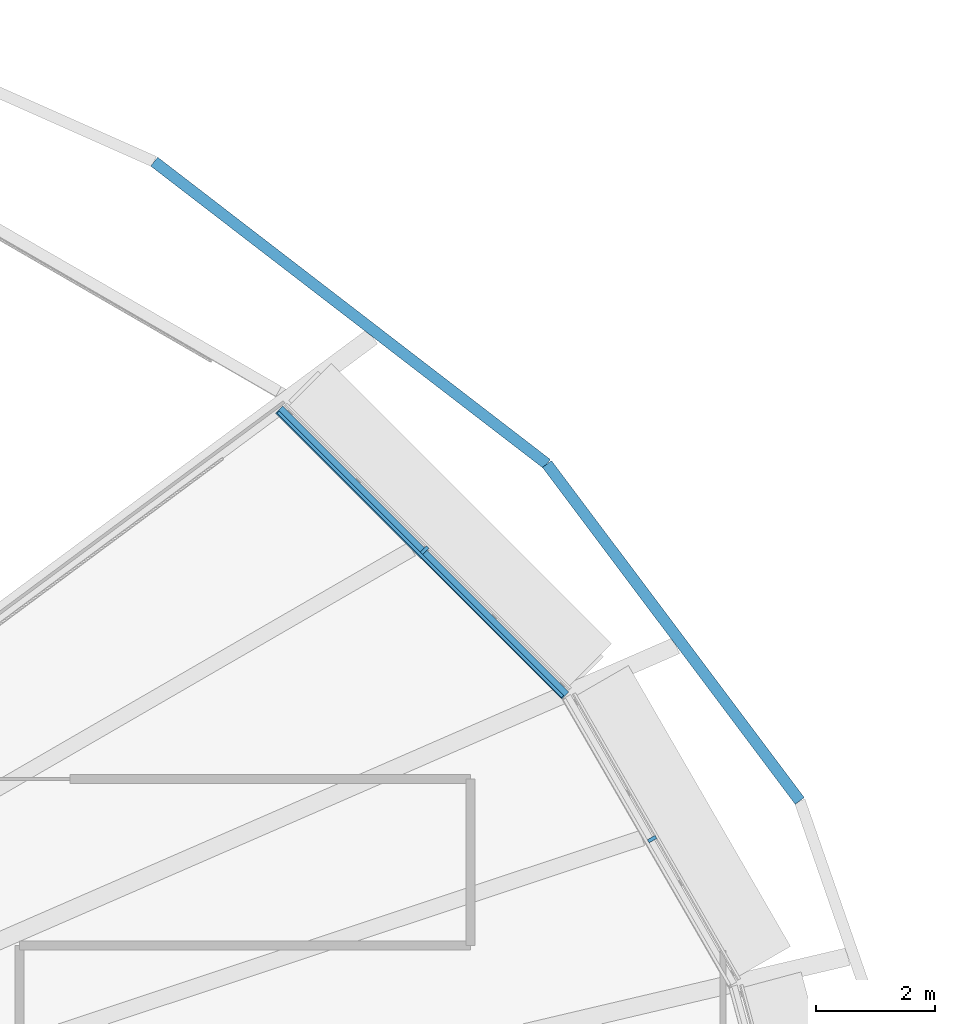
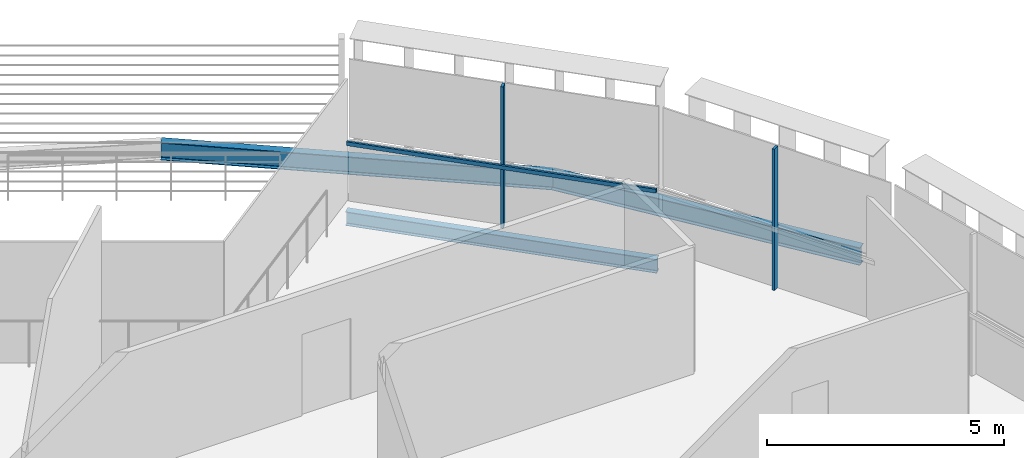
# One storey, part 9 of 24: 3 beams, 3 members, 2 elements without a shape of their own.
"""IFC4 building model written with IfcOpenShell, lengths in metres."""

import ifcopenshell
import ifcopenshell.guid

model = None  # the IFC model being written
_history = None  # IfcOwnerHistory: only IFC2X3 demands one
_inside = {}  # id of a spatial element -> (the spatial element, [elements in it])
_under = {}  # id of a project, library or spatial element -> (it, [spatial elements below it])
_declared = {}  # id of a project -> (the project, [libraries it declares])
_typed = {}  # id of a type object -> (the type object, [elements of that type])
_made_of = {}  # id of a material, layer set ... -> (it, [elements and type objects made of it])


def new_model(schema):
    """Start an empty IFC model of exactly this schema.

    Asked for "IFC4X3", IfcOpenShell would pick the latest addendum, in which some entities
    have other attributes; the version numbers below select the first issue.
    IFC2X3 requires an IfcOwnerHistory on every rooted entity: one is made here for all.
    """
    global model, _history
    if schema == "IFC4X3":
        model = ifcopenshell.file(schema_version=(4, 3, 0, 0))
    else:
        model = ifcopenshell.file(schema=schema)
    _inside.clear()
    _under.clear()
    _declared.clear()
    _typed.clear()
    _made_of.clear()
    _history = None
    if model.schema == "IFC2X3":
        org = make("IfcOrganization", Name="unknown")
        user = make(
            "IfcPersonAndOrganization",
            ThePerson=make("IfcPerson", FamilyName="unknown"),
            TheOrganization=org,
        )
        app = make(
            "IfcApplication",
            ApplicationDeveloper=org,
            Version="unknown",
            ApplicationFullName="unknown",
            ApplicationIdentifier="unknown",
        )
        _history = make(
            "IfcOwnerHistory",
            OwningUser=user,
            OwningApplication=app,
            ChangeAction="ADDED",
            CreationDate=0,
        )
    return model


def make(cls, **values):
    """One entity of the class cls with the attributes given. An attribute that is None is left unset."""
    return model.create_entity(
        cls, **{name: value for name, value in values.items() if value is not None}
    )


def rooted(cls, **values):
    """An entity with a GlobalId (a new one), such as an element, a storey or a relation."""
    return make(cls, GlobalId=ifcopenshell.guid.new(), OwnerHistory=_history, **values)


def si_unit(unit_type, name, prefix=None):
    """IfcSIUnit, for example si_unit("LENGTHUNIT", "METRE", prefix="MILLI")."""
    return make("IfcSIUnit", UnitType=unit_type, Prefix=prefix, Name=name)


def assignment(units):
    """IfcUnitAssignment: the units of a project."""
    return None if units is None else make("IfcUnitAssignment", Units=units)


def point(xyz):
    """IfcCartesianPoint."""
    return None if xyz is None else make("IfcCartesianPoint", Coordinates=xyz)


def direction(xyz):
    """IfcDirection."""
    return None if xyz is None else make("IfcDirection", DirectionRatios=xyz)


def frame(location, z_axis=None, x_axis=None):
    """IfcAxis2Placement3D, a coordinate frame: its origin and axes. An axis left out is left unset."""
    return make(
        "IfcAxis2Placement3D",
        Location=point(location),
        Axis=direction(z_axis),
        RefDirection=direction(x_axis),
    )


def frame_2d(location, x_axis=None):
    """IfcAxis2Placement2D, a coordinate frame in the plane: its origin and x axis."""
    return make(
        "IfcAxis2Placement2D", Location=point(location), RefDirection=direction(x_axis)
    )


def origin():
    """The frame at (0, 0, 0) with its axes left unset."""
    return frame((0.0, 0.0, 0.0))


def origin_2d():
    """The frame at (0, 0) in the plane with its x axis left unset."""
    return frame_2d((0.0, 0.0))


def place(relative_to, where):
    """IfcLocalPlacement: puts the frame where relative to a parent placement (None: the world)."""
    return make(
        "IfcLocalPlacement", PlacementRelTo=relative_to, RelativePlacement=where
    )


def context(
    kind, dimensions, precision=None, world=None, true_north=None, identifier=None
):
    """IfcGeometricRepresentationContext, for example the 3D "Model" context."""
    return make(
        "IfcGeometricRepresentationContext",
        ContextIdentifier=identifier,
        ContextType=kind,
        CoordinateSpaceDimension=dimensions,
        Precision=precision,
        WorldCoordinateSystem=world,
        TrueNorth=true_north,
    )


def subcontext(parent, identifier, kind, view, scale=None):
    """IfcGeometricRepresentationSubContext, for example "Body" below "Model"."""
    return make(
        "IfcGeometricRepresentationSubContext",
        ContextIdentifier=identifier,
        ContextType=kind,
        ParentContext=parent,
        TargetScale=scale,
        TargetView=view,
    )


def project(units=None, contexts=None):
    """IfcProject with its units and contexts."""
    return rooted(
        "IfcProject",
        Name="project",
        RepresentationContexts=contexts,
        UnitsInContext=assignment(units),
    )


def spatial(cls, under=None, at=None, **own):
    """A site, building, storey or space (cls), placed at a placement, below another one or the project."""
    s = rooted(cls, ObjectPlacement=at, **own)
    if under is not None:
        _under.setdefault(under.id(), (under, []))[1].append(s)
    return s


def profile(cls, at=None, kind="AREA", **sizes):
    """A parametric profile (cls). Its sizes go by their IFC names, for example OverallWidth=200.0."""
    return make(cls, ProfileType=kind, Position=at, **sizes)


def rectangle(**sizes):
    """IfcRectangleProfileDef."""
    return profile("IfcRectangleProfileDef", **sizes)


def i_section(**sizes):
    """IfcIShapeProfileDef."""
    return profile("IfcIShapeProfileDef", **sizes)


def extrude(swept, where, along, depth):
    """IfcExtrudedAreaSolid: the profile swept, set in the frame where, extruded along a direction by depth."""
    return make(
        "IfcExtrudedAreaSolid",
        SweptArea=swept,
        Position=where,
        ExtrudedDirection=direction(along),
        Depth=depth,
    )


def shape(context_of_items, identifier, shape_type, items):
    """IfcShapeRepresentation: the items that make up one representation, for example the "Body"."""
    return make(
        "IfcShapeRepresentation",
        ContextOfItems=context_of_items,
        RepresentationIdentifier=identifier,
        RepresentationType=shape_type,
        Items=items,
    )


def material(Name=None, Category=None):
    """IfcMaterial."""
    return make("IfcMaterial", Name=Name, Category=Category)


def layer(
    of_material, thickness, ventilated=None, Name=None, Category=None, Priority=None
):
    """IfcMaterialLayer: one layer of a wall or slab, of a material (None: an air gap)."""
    return make(
        "IfcMaterialLayer",
        Material=of_material,
        LayerThickness=thickness,
        IsVentilated=ventilated,
        Name=Name,
        Category=Category,
        Priority=Priority,
    )


def layer_set(layers, Name=None):
    """IfcMaterialLayerSet."""
    return make("IfcMaterialLayerSet", MaterialLayers=layers, LayerSetName=Name)


def material_profile(
    of_material, cross_section, Name=None, Category=None, Priority=None
):
    """IfcMaterialProfile: a cross section and its material."""
    return make(
        "IfcMaterialProfile",
        Name=Name,
        Material=of_material,
        Profile=cross_section,
        Priority=Priority,
        Category=Category,
    )


def profile_set(profiles, Name=None, composite=None):
    """IfcMaterialProfileSet."""
    return make(
        "IfcMaterialProfileSet",
        Name=Name,
        MaterialProfiles=profiles,
        CompositeProfile=composite,
    )


def made_of(thing, what):
    """Note that an element or type object is made of a material, layer set ...; save() writes the relation."""
    if what is not None:
        _made_of.setdefault(what.id(), (what, []))[1].append(thing)
    return thing


def type_object(cls, material=None, **own):
    """A type object (cls), such as IfcWallType, which elements share."""
    return made_of(rooted(cls, **own), material)


def element(
    cls,
    number,
    at=None,
    inside=None,
    cuts=None,
    type_object=None,
    material=None,
    context=None,
    identifier="Body",
    shape_type=None,
    held_by="IfcProductDefinitionShape",
    body=None,
    shapes=None,
    **own,
):
    """One element of the class cls, such as IfcWall. Its Tag is "e" and its number.

    at: its placement. inside: the storey or other place that contains it. cuts: it is an
    opening in that element (IfcRelVoidsElement). A single representation is given by context,
    identifier, shape_type and body (its items); several are given by shapes. held_by: the class
    of the entity that holds the representations. save() writes the other relations.
    """
    e = rooted(cls, Tag="e%d" % number, ObjectPlacement=at, **own)
    if body is not None:
        shapes = [shape(context, identifier, shape_type, body)]
    if shapes is not None:
        e.Representation = make(held_by, Representations=shapes)
    if inside is not None:
        _inside.setdefault(inside.id(), (inside, []))[1].append(e)
    if cuts is not None:
        rooted(
            "IfcRelVoidsElement", RelatingBuildingElement=cuts, RelatedOpeningElement=e
        )
    if type_object is not None:
        _typed.setdefault(type_object.id(), (type_object, []))[1].append(e)
    return made_of(e, material)


def aggregate(whole, parts):
    """IfcRelAggregates: a whole, such as a stair, and the parts it consists of."""
    return rooted("IfcRelAggregates", RelatingObject=whole, RelatedObjects=parts)


def save(model, path):
    """Write the relations noted so far, then the file.

    IfcRelAggregates (storeys below a building ...), IfcRelContainedInSpatialStructure (elements
    in a storey), IfcRelDefinesByType, IfcRelAssociatesMaterial and IfcRelDeclares: one each for
    every whole, place, type object, material and project.
    """
    for whole, parts in _under.values():
        aggregate(whole, parts)
    for where, things in _inside.values():
        rooted(
            "IfcRelContainedInSpatialStructure",
            RelatedElements=things,
            RelatingStructure=where,
        )
    for kind, things in _typed.values():
        rooted("IfcRelDefinesByType", RelatedObjects=things, RelatingType=kind)
    for what, things in _made_of.values():
        rooted("IfcRelAssociatesMaterial", RelatedObjects=things, RelatingMaterial=what)
    for by, libraries in _declared.values():
        rooted("IfcRelDeclares", RelatingContext=by, RelatedDefinitions=libraries)
    model.write(path)


model = new_model("IFC4")

# Units and contexts
model_context = context("Model", 3, precision=1e-05, world=origin(), true_north=direction((0.0, 1.0)))
body_context = subcontext(model_context, "Body", "Model", "MODEL_VIEW")
ifc_project = project(units=[si_unit("LENGTHUNIT", "METRE"), si_unit("AREAUNIT", "SQUARE_METRE"), si_unit("VOLUMEUNIT", "CUBIC_METRE"), si_unit("PLANEANGLEUNIT", "RADIAN"), si_unit("MASSUNIT", "GRAM", prefix="KILO")], contexts=[model_context])

# Site, building, storey
site_placement = place(None, origin())
site = spatial("IfcSite", under=ifc_project, at=site_placement, CompositionType="ELEMENT")
building_placement = place(site_placement, origin())
building = spatial("IfcBuilding", under=site, at=building_placement, Name="Sahrelin Media Tower", CompositionType="ELEMENT")
storey_placement = place(building_placement, frame((0.0, 0.0, 123.0)))
storey = spatial("IfcBuildingStorey", under=building, at=storey_placement, Name="L24", CompositionType="ELEMENT", Elevation=123.0)

# Beam
ifc_material_1 = material(Name="Steel S355", Category="steel")
ifc_material_profile_1 = material_profile(ifc_material_1, i_section(OverallWidth=0.17138671875, OverallDepth=0.35498046875, WebThickness=0.00732421875, FlangeThickness=0.011474609375, FilletRadius=0.01025390625, at=origin_2d()), Name="UB 356x171x51")
ifc_profile_set_1 = profile_set([ifc_material_profile_1], Name="Steel S355")
beam_type_1 = type_object("IfcBeamType", Name="Edge beam EB3", PredefinedType="BEAM", material=ifc_profile_set_1)
beam_1_placement = place(storey_placement, frame((22.77734375, 16.82373046875, -0.327392578125), z_axis=(0.70712470554, -0.707088856379, 0.0), x_axis=(0.707088856379, 0.70712470554, 0.0)))
element("IfcBeam", 1, at=beam_1_placement, inside=storey, type_object=beam_type_1, Name="Edge beam L24-18", PredefinedType="BEAM", context=body_context, shape_type="SweptSolid", body=[
    extrude(i_section(OverallWidth=0.17138671875, OverallDepth=0.35498046875, WebThickness=0.00732421875, FlangeThickness=0.011474609375, FilletRadius=0.01025390625, at=origin_2d()), origin(), (0.0, 0.0, 1.0), 6.810302734375),
])

# Curtain wall, member
ifc_material_2 = material(Name="Champagne anodised aluminium 6063-T6", Category="aluminium")
ifc_layer = layer(ifc_material_2, 0.14990234375)
ifc_layer_set = layer_set([ifc_layer], Name="Tower ribbon curtain wall")
curtain_wall_type = type_object("IfcCurtainWallType", Name="Tower ribbon curtain wall", PredefinedType="NOTDEFINED", material=ifc_layer_set)
curtain_wall_1_placement = place(storey_placement, frame((29.138916015625, 9.63818359375, 0.0), z_axis=(0.0, 0.0, 1.0), x_axis=(1.0, 0.0, 0.0)))
curtain_wall_1 = element("IfcCurtainWall", 2, at=curtain_wall_1_placement, inside=storey, type_object=curtain_wall_type, Name="L24:CW:L24-02", PredefinedType="NOTDEFINED")
ifc_material_profile_2 = material_profile(ifc_material_2, rectangle(XDim=0.06005859375, YDim=0.14990234375, at=origin_2d()), Name="Mullion 60x150")
ifc_profile_set_2 = profile_set([ifc_material_profile_2], Name="Champagne anodised aluminium 6063-T6")
member_type_1 = type_object("IfcMemberType", Name="Mullion 60x150 CW1", PredefinedType="MULLION", material=ifc_profile_set_2)
member_1_placement = place(storey_placement, frame((29.056396484375, 9.590576171875, 0.0), z_axis=(0.0, 0.0, 1.0), x_axis=(-0.4999984885, 0.866026276448, 0.0)))
member_1 = element("IfcMember", 3, at=member_1_placement, type_object=member_type_1, Name="L24:CWM:L24-02", PredefinedType="MULLION", context=body_context, shape_type="SweptSolid", body=[
    extrude(rectangle(XDim=0.06005859375, YDim=0.14990234375, at=origin_2d()), origin(), (0.0, 0.0, 1.0), 3.648681640625),
])
aggregate(curtain_wall_1, [member_1])

curtain_wall_2_placement = place(storey_placement, frame((25.291259765625, 14.52197265625, 0.0), z_axis=(0.0, 0.0, 1.0), x_axis=(1.0, 0.0, 0.0)))
curtain_wall_2 = element("IfcCurtainWall", 4, at=curtain_wall_2_placement, inside=storey, type_object=curtain_wall_type, Name="L24:CW:L24-03", PredefinedType="NOTDEFINED")
member_2_placement = place(storey_placement, frame((25.22412109375, 14.454833984375, 0.0), z_axis=(0.0, 0.0, 1.0), x_axis=(-0.707106781187, 0.707106781187, 0.0)))
member_2 = element("IfcMember", 5, at=member_2_placement, type_object=member_type_1, Name="L24:CWM:L24-03", PredefinedType="MULLION", context=body_context, shape_type="SweptSolid", body=[
    extrude(rectangle(XDim=0.06005859375, YDim=0.14990234375, at=origin_2d()), origin(), (0.0, 0.0, 1.0), 3.648681640625),
])

# Beams
ifc_material_profile_3 = material_profile(ifc_material_1, i_section(OverallWidth=0.1904296875, OverallDepth=0.45703125, WebThickness=0.009033203125, FlangeThickness=0.014404296875, FilletRadius=0.01025390625, at=origin_2d()), Name="UB 457x191x74")
ifc_profile_set_3 = profile_set([ifc_material_profile_3], Name="Steel S355")
beam_type_2 = type_object("IfcBeamType", Name="Tie chord TC5", PredefinedType="BEAM", material=ifc_profile_set_3)
beam_2_placement = place(storey_placement, frame((31.542236328125, 10.2333984375, -0.37841796875), z_axis=(-0.600055058973, 0.79995870281, 0.0), x_axis=(-0.79995870281, -0.600055058973, 0.0)))
element("IfcBeam", 6, at=beam_2_placement, inside=storey, type_object=beam_type_2, Name="Tie chord L24-02", PredefinedType="BEAM", context=body_context, shape_type="SweptSolid", body=[
    extrude(i_section(OverallWidth=0.1904296875, OverallDepth=0.45703125, WebThickness=0.009033203125, FlangeThickness=0.014404296875, FilletRadius=0.01025390625, at=origin_2d()), origin(), (0.0, 0.0, 1.0), 7.094482421875),
])
beam_3_placement = place(storey_placement, frame((27.28515625, 15.90869140625, -0.37841796875), z_axis=(-0.792439163216, 0.609950959178, 0.0), x_axis=(-0.609950959178, -0.792439163216, 0.0)))
element("IfcBeam", 7, at=beam_3_placement, inside=storey, type_object=beam_type_2, Name="Tie chord L24-03", PredefinedType="BEAM", context=body_context, shape_type="SweptSolid", body=[
    extrude(i_section(OverallWidth=0.1904296875, OverallDepth=0.45703125, WebThickness=0.009033203125, FlangeThickness=0.014404296875, FilletRadius=0.01025390625, at=origin_2d()), origin(), (0.0, 0.0, 1.0), 8.349365234375),
])

# Member
ifc_material_profile_4 = material_profile(ifc_material_2, rectangle(XDim=0.050048828125, YDim=0.10009765625, at=origin_2d()), Name="Transom 50x100")
ifc_profile_set_4 = profile_set([ifc_material_profile_4], Name="Champagne anodised aluminium 6063-T6")
member_type_2 = type_object("IfcMemberType", Name="Transom 50x100 CW1", PredefinedType="USERDEFINED", material=ifc_profile_set_4)
member_3_placement = place(storey_placement, frame((27.550048828125, 11.987548828125, 1.60009765625), z_axis=(-0.707124788617, 0.707088773297, 0.0), x_axis=(-0.707088773297, -0.707124788617, 0.0)))
member_3 = element("IfcMember", 8, at=member_3_placement, type_object=member_type_2, Name="L24:CWT:L24-03", ObjectType="TRANSOM", PredefinedType="USERDEFINED", context=body_context, shape_type="SweptSolid", body=[
    extrude(rectangle(XDim=0.050048828125, YDim=0.10009765625, at=origin_2d()), origin(), (0.0, 0.0, 1.0), 6.77880859375),
])

aggregate(curtain_wall_2, [member_2, member_3])

save(model, "model.ifc")
